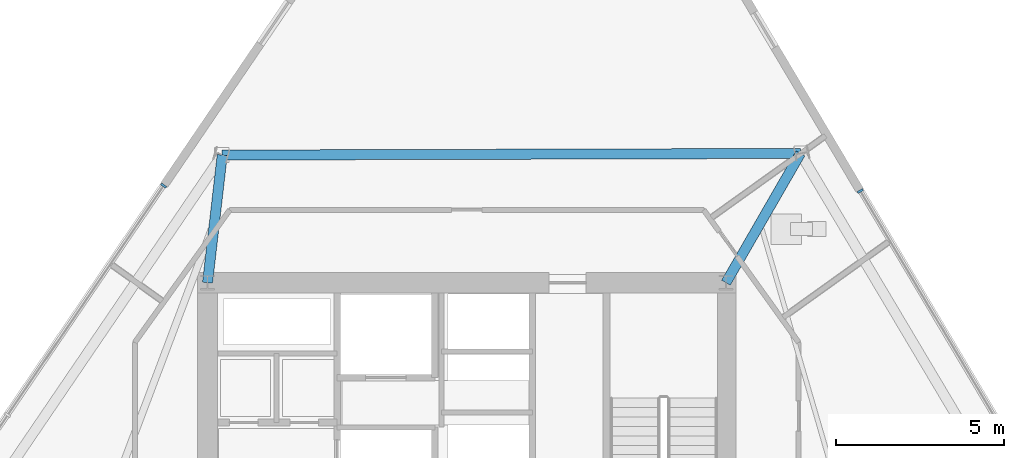
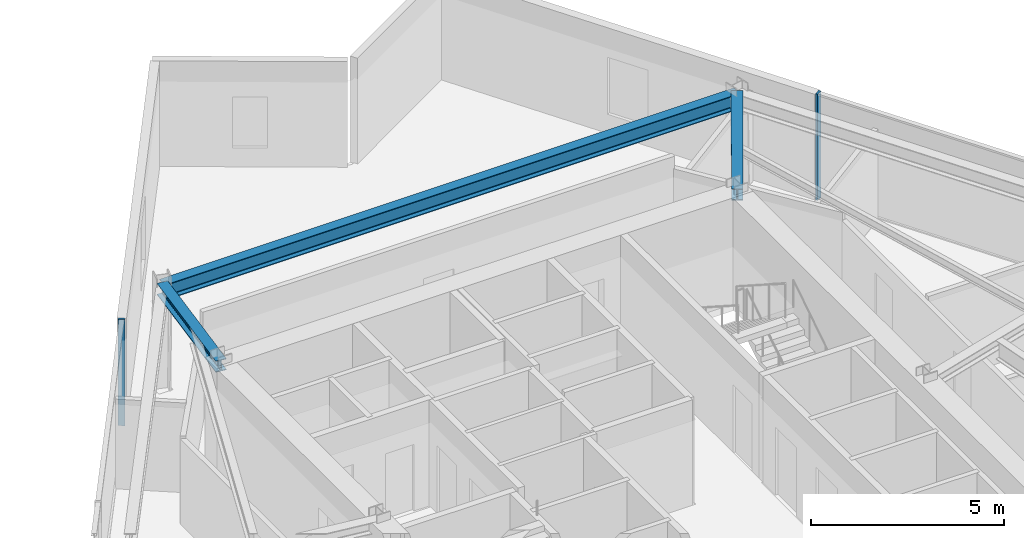
# One storey, part 6 of 15: 3 beams, 2 members, 2 elements without a shape of their own.
"""IFC4 building model written with IfcOpenShell, lengths in metres."""

from ifc_helpers import new_model, si_unit, direction, frame, origin, origin_2d, place, context, subcontext, project, spatial, rectangle, i_section, extrude, material, material_profile, profile_set, type_object, element, aggregate, save


model = new_model("IFC4")

# Units and contexts
model_context = context("Model", 3, precision=1e-05, world=origin(), true_north=direction((0.0, 1.0)))
body_context = subcontext(model_context, "Body", "Model", "MODEL_VIEW")
ifc_project = project(units=[si_unit("LENGTHUNIT", "METRE"), si_unit("AREAUNIT", "SQUARE_METRE"), si_unit("VOLUMEUNIT", "CUBIC_METRE"), si_unit("PLANEANGLEUNIT", "RADIAN"), si_unit("MASSUNIT", "GRAM", prefix="KILO")], contexts=[model_context])

# Site, building, storey
site_placement = place(None, origin())
site = spatial("IfcSite", under=ifc_project, at=site_placement, CompositionType="ELEMENT")
building_placement = place(site_placement, origin())
building = spatial("IfcBuilding", under=site, at=building_placement, Name="Savorim Split Tower", CompositionType="ELEMENT")
storey_placement = place(building_placement, frame((0.0, 0.0, 107.699951171875)))
storey = spatial("IfcBuildingStorey", under=building, at=storey_placement, Name="L28", CompositionType="ELEMENT", Elevation=107.699951171875)

# Beams
ifc_material_1 = material(Name="Steel S355", Category="steel")
ifc_material_profile_1 = material_profile(ifc_material_1, i_section(OverallWidth=0.300048828125, OverallDepth=0.360107421875, WebThickness=0.012451171875, FlangeThickness=0.0224609375, FilletRadius=0.027099609375, at=origin_2d()), Name="HEB 360")
ifc_profile_set_1 = profile_set([ifc_material_profile_1], Name="Steel S355")
beam_type_1 = type_object("IfcBeamType", Name="BM-PRI-HEB360", PredefinedType="BEAM", material=ifc_profile_set_1)
beam_1_placement = place(storey_placement, frame((9.9130859375, 14.039794921875, 3.170166015625), z_axis=(-0.499356797723, -0.866396438455, 0.0), x_axis=(0.866396438455, -0.499356797723, 0.0)))
element("IfcBeam", 1, at=beam_1_placement, inside=storey, type_object=beam_type_1, Name="L28 Primary Floor Girder RG-07", PredefinedType="BEAM", context=body_context, shape_type="SweptSolid", body=[
    extrude(i_section(OverallWidth=0.300048828125, OverallDepth=0.360107421875, WebThickness=0.012451171875, FlangeThickness=0.0224609375, FilletRadius=0.027099609375, at=origin_2d()), origin(), (0.0, 0.0, 1.0), 4.431884765625),
])
beam_2_placement = place(storey_placement, frame((-7.26318359375, 13.990966796875, 3.170166015625), z_axis=(-0.114454124703, -0.99342853459, 0.0), x_axis=(0.99342853459, -0.114454124703, 0.0)))
element("IfcBeam", 2, at=beam_2_placement, inside=storey, type_object=beam_type_1, Name="L28 Primary Floor Girder RG-08", PredefinedType="BEAM", context=body_context, shape_type="SweptSolid", body=[
    extrude(i_section(OverallWidth=0.300048828125, OverallDepth=0.360107421875, WebThickness=0.012451171875, FlangeThickness=0.0224609375, FilletRadius=0.027099609375, at=origin_2d()), origin(), (0.0, 0.0, 1.0), 3.816162109375),
])
ifc_material_profile_2 = material_profile(ifc_material_1, i_section(OverallWidth=0.300048828125, OverallDepth=0.489990234375, WebThickness=0.011962890625, FlangeThickness=0.02294921875, FilletRadius=0.027099609375, at=origin_2d()), Name="HEA 500")
ifc_profile_set_2 = profile_set([ifc_material_profile_2], Name="Steel S355")
beam_type_2 = type_object("IfcBeamType", Name="BM-SPN-HEA500", PredefinedType="SPANDREL", material=ifc_profile_set_2)
beam_3_placement = place(storey_placement, frame((9.9130859375, 14.039794921875, 3.10498046875), z_axis=(-0.999995959364, -0.002842755094, 0.0), x_axis=(0.002842755094, -0.999995959364, 0.0)))
element("IfcBeam", 3, at=beam_3_placement, inside=storey, type_object=beam_type_2, Name="L28 Perimeter Spandrel Beam 7", PredefinedType="SPANDREL", context=body_context, shape_type="SweptSolid", body=[
    extrude(i_section(OverallWidth=0.300048828125, OverallDepth=0.489990234375, WebThickness=0.011962890625, FlangeThickness=0.02294921875, FilletRadius=0.027099609375, at=origin_2d()), origin(), (0.0, 0.0, 1.0), 17.17626953125),
])

# Curtain wall, member
ifc_material_2 = material(Name="Dark Ceramic-Fritted Insulated Glass", Category="glass")
curtain_wall_type = type_object("IfcCurtainWallType", Name="CW-TWR-FRIT-A", PredefinedType="NOTDEFINED", material=ifc_material_2)
curtain_wall_1_placement = place(storey_placement, origin())
curtain_wall_1 = element("IfcCurtainWall", 4, at=curtain_wall_1_placement, inside=storey, type_object=curtain_wall_type, Name="L28 Curtain Wall CW-L28-EAST", PredefinedType="NOTDEFINED")
ifc_material_3 = material(Name="Charcoal Anodised Aluminium", Category="aluminium")
ifc_material_profile_3 = material_profile(ifc_material_3, rectangle(XDim=0.179931640625, YDim=0.06494140625, at=origin_2d()), Name="ALU-M 180x65")
ifc_profile_set_3 = profile_set([ifc_material_profile_3], Name="Charcoal Anodised Aluminium")
member_type = type_object("IfcMemberType", Name="CWM-180x65", PredefinedType="MULLION", material=ifc_profile_set_3)
member_1_placement = place(storey_placement, frame((11.690185546875, 12.921630859375, 0.0), z_axis=(0.0, 0.0, 1.0), x_axis=(-0.859525409745, -0.51109301502, 0.0)))
member_1 = element("IfcMember", 5, at=member_1_placement, type_object=member_type, Name="CW-02 mullion 5", PredefinedType="MULLION", context=body_context, shape_type="SweptSolid", body=[
    extrude(rectangle(XDim=0.179931640625, YDim=0.06494140625, at=origin_2d()), origin(), (0.0, 0.0, 1.0), 3.35009765625),
])
aggregate(curtain_wall_1, [member_1])

curtain_wall_2_placement = place(storey_placement, origin())
curtain_wall_2 = element("IfcCurtainWall", 6, at=curtain_wall_2_placement, inside=storey, type_object=curtain_wall_type, Name="L28 Curtain Wall CW-L28-WEST", PredefinedType="NOTDEFINED")
member_2_placement = place(storey_placement, frame((-9.002197265625, 13.08154296875, 0.0), z_axis=(0.0, 0.0, 1.0), x_axis=(0.826819959579, -0.562466669628, 0.0)))
member_2 = element("IfcMember", 7, at=member_2_placement, type_object=member_type, Name="CW-02 mullion 1", PredefinedType="MULLION", context=body_context, shape_type="SweptSolid", body=[
    extrude(rectangle(XDim=0.179931640625, YDim=0.06494140625, at=origin_2d()), origin(), (0.0, 0.0, 1.0), 3.35009765625),
])
aggregate(curtain_wall_2, [member_2])

save(model, "model.ifc")
